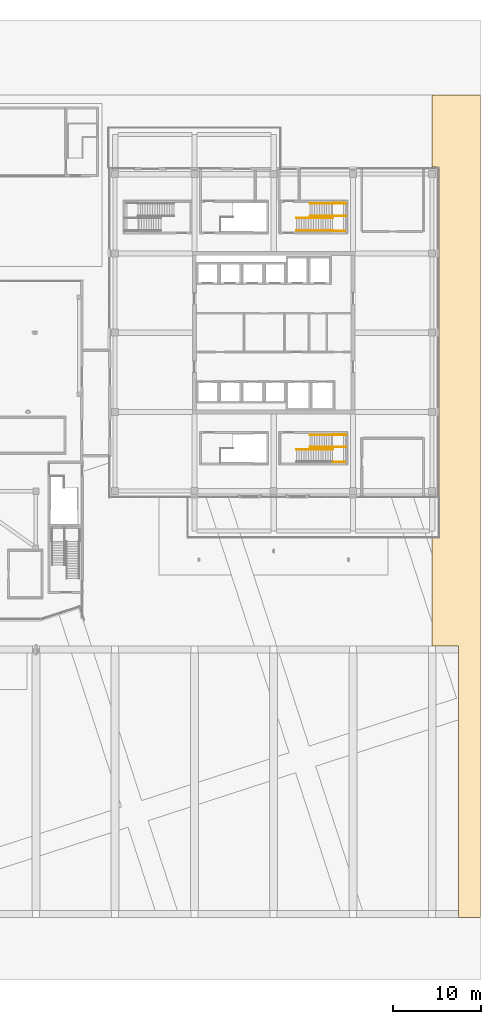
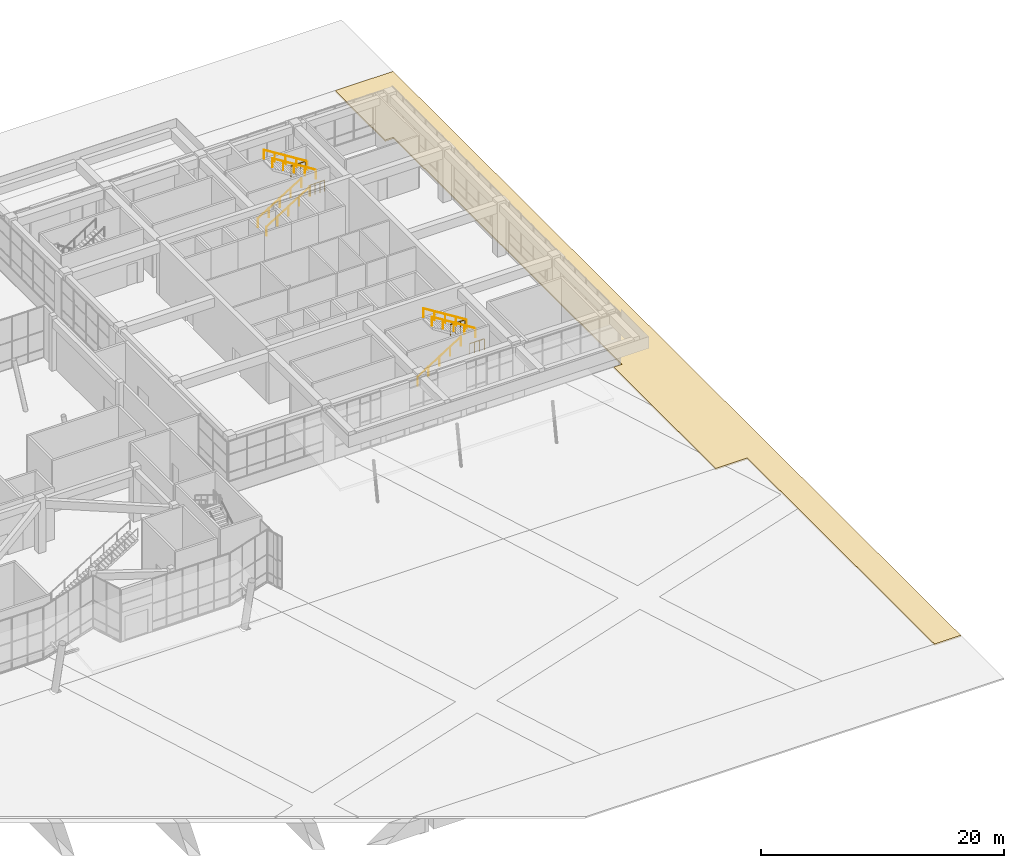
# One storey, part 71 of 72: 11 railings, 1 covering.
"""IFC4 building model written with IfcOpenShell, lengths in metres."""

from ifc_helpers import new_model, si_unit, direction, frame, origin, origin_2d, place, context, subcontext, project, spatial, polyline, circle, outline, extrude, material, layer, layer_set, type_object, element, save


model = new_model("IFC4")

# Units and contexts
model_context = context("Model", 3, precision=1e-05, world=origin(), true_north=direction((0.0, 1.0)))
body_context = subcontext(model_context, "Body", "Model", "MODEL_VIEW")
ifc_project = project(units=[si_unit("LENGTHUNIT", "METRE"), si_unit("AREAUNIT", "SQUARE_METRE"), si_unit("VOLUMEUNIT", "CUBIC_METRE"), si_unit("PLANEANGLEUNIT", "RADIAN"), si_unit("MASSUNIT", "GRAM", prefix="KILO")], contexts=[model_context])

# Site, building, storey
site_placement = place(None, origin())
site = spatial("IfcSite", under=ifc_project, at=site_placement, CompositionType="ELEMENT")
building_placement = place(site_placement, origin())
building = spatial("IfcBuilding", under=site, at=building_placement, Name="Tuart Plaza Theatre", CompositionType="ELEMENT")
storey_placement = place(building_placement, origin())
storey = spatial("IfcBuildingStorey", under=building, at=storey_placement, Name="L00", CompositionType="ELEMENT", Elevation=0.0)

# Covering
ifc_material_1 = material(Name="Stone paving", Category="masonry")
ifc_layer = layer(ifc_material_1, 0.14990234375)
ifc_layer_set = layer_set([ifc_layer], Name="COVERING-GRADE-PAVING150")
covering_type = type_object("IfcCoveringType", Name="COVERING-GRADE-PAVING150", PredefinedType="USERDEFINED", material=ifc_layer_set)
covering_placement = place(storey_placement, frame((0.0, 0.0, -0.14990234375)))
element("IfcCovering", 1, at=covering_placement, inside=storey, type_object=covering_type, Name="D-COV-EAST-LANE", ObjectType="PAVING", PredefinedType="USERDEFINED", context=body_context, shape_type="SweptSolid", body=[
    extrude(outline(polyline([(155.5, 7.60009765625), (155.5, 101.0), (150.0, 101.0), (150.0, 92.800048828125), (150.7548828125, 92.7998046875), (150.788818359375, 92.78173828125), (150.800048828125, 92.75), (150.800048828125, 55.25), (150.788818359375, 55.21826171875), (150.7548828125, 55.2001953125), (150.0, 55.199951171875), (150.0, 38.39990234375), (153.0, 38.39990234375), (153.0, 7.60009765625), (155.5, 7.60009765625)])), origin(), (0.0, 0.0, 1.0), 0.14990234375),
])

# Railings
ifc_material_2 = material(Name="Steel Grade C350L0", Category="steel")
railing_type_1 = type_object("IfcRailingType", Name="RAILING Guard 1100", PredefinedType="GUARDRAIL", material=ifc_material_2)
railing_1_placement = place(storey_placement, frame((138.699951171875, 59.300048828125, 2.75)))
element("IfcRailing", 2, at=railing_1_placement, inside=storey, type_object=railing_type_1, Name="GR202", PredefinedType="GUARDRAIL", context=body_context, shape_type="SweptSolid", body=[
    extrude(circle(Radius=0.02490234375, at=origin_2d()), frame((0.0, 0.0, 1.0751953125), z_axis=(1.0, 0.0, 0.0), x_axis=(0.0, 1.0, 0.0)), (0.0, 0.0, 1.0), 1.380126953125),
    extrude(circle(Radius=0.02001953125, at=origin_2d()), origin(), (0.0, 0.0, 1.0), 1.050048828125),
    extrude(circle(Radius=0.02001953125, at=origin_2d()), frame((0.4599609375, 0.0, 0.0)), (0.0, 0.0, 1.0), 1.050048828125),
    extrude(circle(Radius=0.02001953125, at=origin_2d()), frame((0.920166015625, 0.0, 0.0)), (0.0, 0.0, 1.0), 1.050048828125),
    extrude(circle(Radius=0.02001953125, at=origin_2d()), frame((1.380126953125, 0.0, 0.0)), (0.0, 0.0, 1.0), 1.050048828125),
])
railing_2_placement = place(storey_placement, frame((140.080078125, 62.449951171875, 2.75)))
element("IfcRailing", 3, at=railing_2_placement, inside=storey, type_object=railing_type_1, Name="GR203", PredefinedType="GUARDRAIL", context=body_context, shape_type="SweptSolid", body=[
    extrude(circle(Radius=0.02490234375, at=origin_2d()), frame((0.0, 0.0, 1.0751953125), z_axis=(-1.0, 0.0, 0.0), x_axis=(0.0, -1.0, 0.0)), (0.0, 0.0, 1.0), 1.380126953125),
    extrude(circle(Radius=0.02001953125, at=origin_2d()), origin(), (0.0, 0.0, 1.0), 1.050048828125),
    extrude(circle(Radius=0.02001953125, at=origin_2d()), frame((-0.4599609375, 0.0, 0.0)), (0.0, 0.0, 1.0), 1.050048828125),
    extrude(circle(Radius=0.02001953125, at=origin_2d()), frame((-0.920166015625, 0.0, 0.0)), (0.0, 0.0, 1.0), 1.050048828125),
    extrude(circle(Radius=0.02001953125, at=origin_2d()), frame((-1.380126953125, 0.0, 0.0)), (0.0, 0.0, 1.0), 1.050048828125),
])
railing_3_placement = place(storey_placement, frame((138.699951171875, 85.550048828125, 2.75)))
element("IfcRailing", 4, at=railing_3_placement, inside=storey, type_object=railing_type_1, Name="GR281", PredefinedType="GUARDRAIL", context=body_context, shape_type="SweptSolid", body=[
    extrude(circle(Radius=0.02490234375, at=origin_2d()), frame((0.0, 0.0, 1.0751953125), z_axis=(1.0, 0.0, 0.0), x_axis=(0.0, 1.0, 0.0)), (0.0, 0.0, 1.0), 1.380126953125),
    extrude(circle(Radius=0.02001953125, at=origin_2d()), origin(), (0.0, 0.0, 1.0), 1.050048828125),
    extrude(circle(Radius=0.02001953125, at=origin_2d()), frame((0.4599609375, 0.0, 0.0)), (0.0, 0.0, 1.0), 1.050048828125),
    extrude(circle(Radius=0.02001953125, at=origin_2d()), frame((0.920166015625, 0.0, 0.0)), (0.0, 0.0, 1.0), 1.050048828125),
    extrude(circle(Radius=0.02001953125, at=origin_2d()), frame((1.380126953125, 0.0, 0.0)), (0.0, 0.0, 1.0), 1.050048828125),
])
railing_4_placement = place(storey_placement, frame((140.080078125, 88.699951171875, 2.75)))
element("IfcRailing", 5, at=railing_4_placement, inside=storey, type_object=railing_type_1, Name="GR282", PredefinedType="GUARDRAIL", context=body_context, shape_type="SweptSolid", body=[
    extrude(circle(Radius=0.02490234375, at=origin_2d()), frame((0.0, 0.0, 1.0751953125), z_axis=(-1.0, 0.0, 0.0), x_axis=(0.0, -1.0, 0.0)), (0.0, 0.0, 1.0), 1.380126953125),
    extrude(circle(Radius=0.02001953125, at=origin_2d()), origin(), (0.0, 0.0, 1.0), 1.050048828125),
    extrude(circle(Radius=0.02001953125, at=origin_2d()), frame((-0.4599609375, 0.0, 0.0)), (0.0, 0.0, 1.0), 1.050048828125),
    extrude(circle(Radius=0.02001953125, at=origin_2d()), frame((-0.920166015625, 0.0, 0.0)), (0.0, 0.0, 1.0), 1.050048828125),
    extrude(circle(Radius=0.02001953125, at=origin_2d()), frame((-1.380126953125, 0.0, 0.0)), (0.0, 0.0, 1.0), 1.050048828125),
])
ifc_material_3 = material(Name="Steel Grade C350L0", Category="steel")
railing_type_2 = type_object("IfcRailingType", Name="RAILING Handrail 900", PredefinedType="HANDRAIL", material=ifc_material_3)
railing_5_placement = place(storey_placement, frame((134.594970703125, 60.75, 0.171875)))
element("IfcRailing", 6, at=railing_5_placement, inside=storey, type_object=railing_type_2, Name="HR115", PredefinedType="HANDRAIL", context=body_context, shape_type="SweptSolid", body=[
    extrude(circle(Radius=0.0224609375, at=origin_2d()), frame((0.0, 0.0, 0.87744140625), z_axis=(0.847998304005, 0.0, 0.529998940003), x_axis=(0.0, 1.0, 0.0)), (0.0, 0.0, 1.0), 4.864501953125),
    extrude(circle(Radius=0.01513671875, at=origin_2d()), origin(), (0.0, 0.0, 1.0), 0.85498046875),
    extrude(circle(Radius=0.01513671875, at=origin_2d()), frame((1.03125, 0.0, 0.64453125)), (0.0, 0.0, 1.0), 0.85498046875),
    extrude(circle(Radius=0.01513671875, at=origin_2d()), frame((2.0625, 0.0, 1.2890625)), (0.0, 0.0, 1.0), 0.85498046875),
    extrude(circle(Radius=0.01513671875, at=origin_2d()), frame((3.09375, 0.0, 1.93359375)), (0.0, 0.0, 1.0), 0.85498046875),
    extrude(circle(Radius=0.01513671875, at=origin_2d()), frame((4.125, 0.0, 2.578125)), (0.0, 0.0, 1.0), 0.85498046875),
])
for number, where, name in (
    (7, (140.219970703125, 61.0, 2.921875), "HR117"),
    (8, (140.219970703125, 62.39990234375, 2.921875), "HR118"),
):
    element("IfcRailing", number, at=place(storey_placement, frame(where)), inside=storey, type_object=railing_type_2, Name=name, PredefinedType="HANDRAIL", context=body_context, shape_type="SweptSolid", body=[
        extrude(circle(Radius=0.0224609375, at=origin_2d()), frame((0.0, 0.0, 0.87744140625), z_axis=(-0.847998304005, 0.0, 0.529998940003), x_axis=(0.0, -1.0, 0.0)), (0.0, 0.0, 1.0), 4.864501953125),
        extrude(circle(Radius=0.01513671875, at=origin_2d()), origin(), (0.0, 0.0, 1.0), 0.85498046875),
        extrude(circle(Radius=0.01513671875, at=origin_2d()), frame((-1.03125, 0.0, 0.64453125)), (0.0, 0.0, 1.0), 0.85498046875),
        extrude(circle(Radius=0.01513671875, at=origin_2d()), frame((-2.0625, 0.0, 1.2890625)), (0.0, 0.0, 1.0), 0.85498046875),
        extrude(circle(Radius=0.01513671875, at=origin_2d()), frame((-3.09375, 0.0, 1.93359375)), (0.0, 0.0, 1.0), 0.85498046875),
        extrude(circle(Radius=0.01513671875, at=origin_2d()), frame((-4.125, 0.0, 2.578125)), (0.0, 0.0, 1.0), 0.85498046875),
    ])
for number, where, name in (
    (9, (134.594970703125, 87.0, 0.171875), "HR179"),
    (10, (134.594970703125, 85.60009765625, 0.171875), "HR180"),
):
    element("IfcRailing", number, at=place(storey_placement, frame(where)), inside=storey, type_object=railing_type_2, Name=name, PredefinedType="HANDRAIL", context=body_context, shape_type="SweptSolid", body=[
        extrude(circle(Radius=0.0224609375, at=origin_2d()), frame((0.0, 0.0, 0.87744140625), z_axis=(0.847998304005, 0.0, 0.529998940003), x_axis=(0.0, 1.0, 0.0)), (0.0, 0.0, 1.0), 4.864501953125),
        extrude(circle(Radius=0.01513671875, at=origin_2d()), origin(), (0.0, 0.0, 1.0), 0.85498046875),
        extrude(circle(Radius=0.01513671875, at=origin_2d()), frame((1.03125, 0.0, 0.64453125)), (0.0, 0.0, 1.0), 0.85498046875),
        extrude(circle(Radius=0.01513671875, at=origin_2d()), frame((2.0625, 0.0, 1.2890625)), (0.0, 0.0, 1.0), 0.85498046875),
        extrude(circle(Radius=0.01513671875, at=origin_2d()), frame((3.09375, 0.0, 1.93359375)), (0.0, 0.0, 1.0), 0.85498046875),
        extrude(circle(Radius=0.01513671875, at=origin_2d()), frame((4.125, 0.0, 2.578125)), (0.0, 0.0, 1.0), 0.85498046875),
    ])
for number, where, name in (
    (11, (140.219970703125, 87.25, 2.921875), "HR181"),
    (12, (140.219970703125, 88.64990234375, 2.921875), "HR182"),
):
    element("IfcRailing", number, at=place(storey_placement, frame(where)), inside=storey, type_object=railing_type_2, Name=name, PredefinedType="HANDRAIL", context=body_context, shape_type="SweptSolid", body=[
        extrude(circle(Radius=0.0224609375, at=origin_2d()), frame((0.0, 0.0, 0.87744140625), z_axis=(-0.847998304005, 0.0, 0.529998940003), x_axis=(0.0, -1.0, 0.0)), (0.0, 0.0, 1.0), 4.864501953125),
        extrude(circle(Radius=0.01513671875, at=origin_2d()), origin(), (0.0, 0.0, 1.0), 0.85498046875),
        extrude(circle(Radius=0.01513671875, at=origin_2d()), frame((-1.03125, 0.0, 0.64453125)), (0.0, 0.0, 1.0), 0.85498046875),
        extrude(circle(Radius=0.01513671875, at=origin_2d()), frame((-2.0625, 0.0, 1.2890625)), (0.0, 0.0, 1.0), 0.85498046875),
        extrude(circle(Radius=0.01513671875, at=origin_2d()), frame((-3.09375, 0.0, 1.93359375)), (0.0, 0.0, 1.0), 0.85498046875),
        extrude(circle(Radius=0.01513671875, at=origin_2d()), frame((-4.125, 0.0, 2.578125)), (0.0, 0.0, 1.0), 0.85498046875),
    ])

save(model, "model.ifc")
